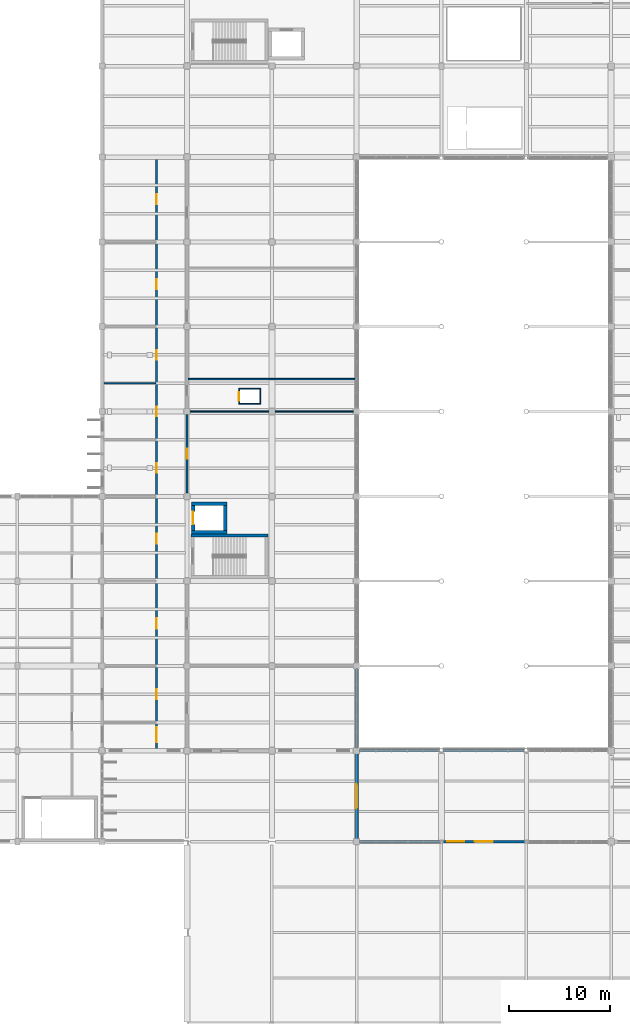
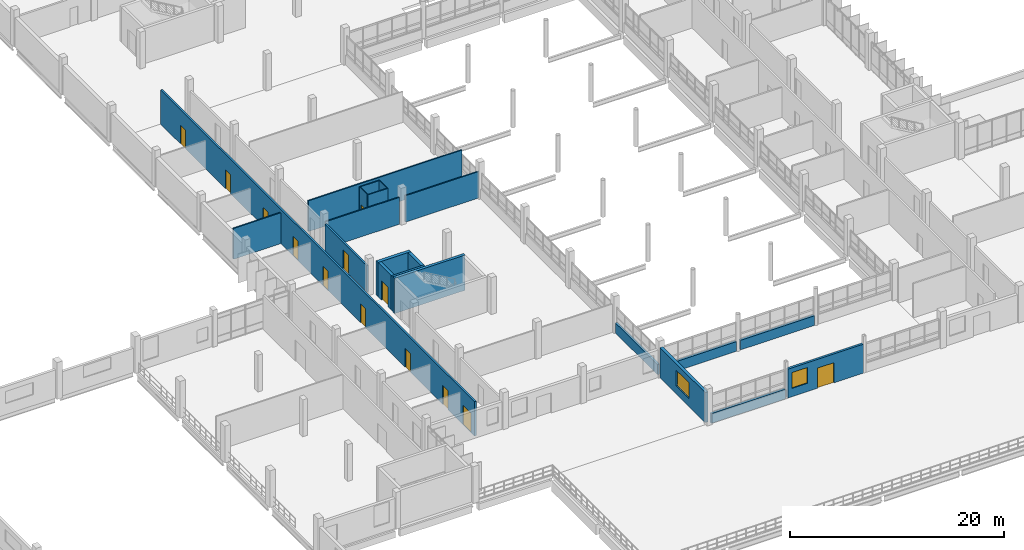
# One storey, part 84 of 101: 21 walls, 13 doors, 2 windows, 15 openings.
"""IFC4 building model written with IfcOpenShell, lengths in metres."""

import ifcopenshell
import ifcopenshell.guid

model = None  # the IFC model being written
_history = None  # IfcOwnerHistory: only IFC2X3 demands one
_inside = {}  # id of a spatial element -> (the spatial element, [elements in it])
_under = {}  # id of a project, library or spatial element -> (it, [spatial elements below it])
_declared = {}  # id of a project -> (the project, [libraries it declares])
_typed = {}  # id of a type object -> (the type object, [elements of that type])
_made_of = {}  # id of a material, layer set ... -> (it, [elements and type objects made of it])


def new_model(schema):
    """Start an empty IFC model of exactly this schema.

    Asked for "IFC4X3", IfcOpenShell would pick the latest addendum, in which some entities
    have other attributes; the version numbers below select the first issue.
    IFC2X3 requires an IfcOwnerHistory on every rooted entity: one is made here for all.
    """
    global model, _history
    if schema == "IFC4X3":
        model = ifcopenshell.file(schema_version=(4, 3, 0, 0))
    else:
        model = ifcopenshell.file(schema=schema)
    _inside.clear()
    _under.clear()
    _declared.clear()
    _typed.clear()
    _made_of.clear()
    _history = None
    if model.schema == "IFC2X3":
        org = make("IfcOrganization", Name="unknown")
        user = make(
            "IfcPersonAndOrganization",
            ThePerson=make("IfcPerson", FamilyName="unknown"),
            TheOrganization=org,
        )
        app = make(
            "IfcApplication",
            ApplicationDeveloper=org,
            Version="unknown",
            ApplicationFullName="unknown",
            ApplicationIdentifier="unknown",
        )
        _history = make(
            "IfcOwnerHistory",
            OwningUser=user,
            OwningApplication=app,
            ChangeAction="ADDED",
            CreationDate=0,
        )
    return model


def make(cls, **values):
    """One entity of the class cls with the attributes given. An attribute that is None is left unset."""
    return model.create_entity(
        cls, **{name: value for name, value in values.items() if value is not None}
    )


def rooted(cls, **values):
    """An entity with a GlobalId (a new one), such as an element, a storey or a relation."""
    return make(cls, GlobalId=ifcopenshell.guid.new(), OwnerHistory=_history, **values)


def si_unit(unit_type, name, prefix=None):
    """IfcSIUnit, for example si_unit("LENGTHUNIT", "METRE", prefix="MILLI")."""
    return make("IfcSIUnit", UnitType=unit_type, Prefix=prefix, Name=name)


def assignment(units):
    """IfcUnitAssignment: the units of a project."""
    return None if units is None else make("IfcUnitAssignment", Units=units)


def point(xyz):
    """IfcCartesianPoint."""
    return None if xyz is None else make("IfcCartesianPoint", Coordinates=xyz)


def direction(xyz):
    """IfcDirection."""
    return None if xyz is None else make("IfcDirection", DirectionRatios=xyz)


def frame(location, z_axis=None, x_axis=None):
    """IfcAxis2Placement3D, a coordinate frame: its origin and axes. An axis left out is left unset."""
    return make(
        "IfcAxis2Placement3D",
        Location=point(location),
        Axis=direction(z_axis),
        RefDirection=direction(x_axis),
    )


def frame_2d(location, x_axis=None):
    """IfcAxis2Placement2D, a coordinate frame in the plane: its origin and x axis."""
    return make(
        "IfcAxis2Placement2D", Location=point(location), RefDirection=direction(x_axis)
    )


def origin():
    """The frame at (0, 0, 0) with its axes left unset."""
    return frame((0.0, 0.0, 0.0))


def place(relative_to, where):
    """IfcLocalPlacement: puts the frame where relative to a parent placement (None: the world)."""
    return make(
        "IfcLocalPlacement", PlacementRelTo=relative_to, RelativePlacement=where
    )


def context(
    kind, dimensions, precision=None, world=None, true_north=None, identifier=None
):
    """IfcGeometricRepresentationContext, for example the 3D "Model" context."""
    return make(
        "IfcGeometricRepresentationContext",
        ContextIdentifier=identifier,
        ContextType=kind,
        CoordinateSpaceDimension=dimensions,
        Precision=precision,
        WorldCoordinateSystem=world,
        TrueNorth=true_north,
    )


def subcontext(parent, identifier, kind, view, scale=None):
    """IfcGeometricRepresentationSubContext, for example "Body" below "Model"."""
    return make(
        "IfcGeometricRepresentationSubContext",
        ContextIdentifier=identifier,
        ContextType=kind,
        ParentContext=parent,
        TargetScale=scale,
        TargetView=view,
    )


def project(units=None, contexts=None):
    """IfcProject with its units and contexts."""
    return rooted(
        "IfcProject",
        Name="project",
        RepresentationContexts=contexts,
        UnitsInContext=assignment(units),
    )


def spatial(cls, under=None, at=None, **own):
    """A site, building, storey or space (cls), placed at a placement, below another one or the project."""
    s = rooted(cls, ObjectPlacement=at, **own)
    if under is not None:
        _under.setdefault(under.id(), (under, []))[1].append(s)
    return s


def profile(cls, at=None, kind="AREA", **sizes):
    """A parametric profile (cls). Its sizes go by their IFC names, for example OverallWidth=200.0."""
    return make(cls, ProfileType=kind, Position=at, **sizes)


def rectangle(**sizes):
    """IfcRectangleProfileDef."""
    return profile("IfcRectangleProfileDef", **sizes)


def extrude(swept, where, along, depth):
    """IfcExtrudedAreaSolid: the profile swept, set in the frame where, extruded along a direction by depth."""
    return make(
        "IfcExtrudedAreaSolid",
        SweptArea=swept,
        Position=where,
        ExtrudedDirection=direction(along),
        Depth=depth,
    )


def shape(context_of_items, identifier, shape_type, items):
    """IfcShapeRepresentation: the items that make up one representation, for example the "Body"."""
    return make(
        "IfcShapeRepresentation",
        ContextOfItems=context_of_items,
        RepresentationIdentifier=identifier,
        RepresentationType=shape_type,
        Items=items,
    )


def material(Name=None, Category=None):
    """IfcMaterial."""
    return make("IfcMaterial", Name=Name, Category=Category)


def layer(
    of_material, thickness, ventilated=None, Name=None, Category=None, Priority=None
):
    """IfcMaterialLayer: one layer of a wall or slab, of a material (None: an air gap)."""
    return make(
        "IfcMaterialLayer",
        Material=of_material,
        LayerThickness=thickness,
        IsVentilated=ventilated,
        Name=Name,
        Category=Category,
        Priority=Priority,
    )


def layer_set(layers, Name=None):
    """IfcMaterialLayerSet."""
    return make("IfcMaterialLayerSet", MaterialLayers=layers, LayerSetName=Name)


def made_of(thing, what):
    """Note that an element or type object is made of a material, layer set ...; save() writes the relation."""
    if what is not None:
        _made_of.setdefault(what.id(), (what, []))[1].append(thing)
    return thing


def type_object(cls, material=None, **own):
    """A type object (cls), such as IfcWallType, which elements share."""
    return made_of(rooted(cls, **own), material)


def element(
    cls,
    number,
    at=None,
    inside=None,
    cuts=None,
    type_object=None,
    material=None,
    context=None,
    identifier="Body",
    shape_type=None,
    held_by="IfcProductDefinitionShape",
    body=None,
    shapes=None,
    **own,
):
    """One element of the class cls, such as IfcWall. Its Tag is "e" and its number.

    at: its placement. inside: the storey or other place that contains it. cuts: it is an
    opening in that element (IfcRelVoidsElement). A single representation is given by context,
    identifier, shape_type and body (its items); several are given by shapes. held_by: the class
    of the entity that holds the representations. save() writes the other relations.
    """
    e = rooted(cls, Tag="e%d" % number, ObjectPlacement=at, **own)
    if body is not None:
        shapes = [shape(context, identifier, shape_type, body)]
    if shapes is not None:
        e.Representation = make(held_by, Representations=shapes)
    if inside is not None:
        _inside.setdefault(inside.id(), (inside, []))[1].append(e)
    if cuts is not None:
        rooted(
            "IfcRelVoidsElement", RelatingBuildingElement=cuts, RelatedOpeningElement=e
        )
    if type_object is not None:
        _typed.setdefault(type_object.id(), (type_object, []))[1].append(e)
    return made_of(e, material)


def fill(opening, filler):
    """IfcRelFillsElement: the door or window that sits in an opening."""
    return rooted(
        "IfcRelFillsElement",
        RelatingOpeningElement=opening,
        RelatedBuildingElement=filler,
    )


def aggregate(whole, parts):
    """IfcRelAggregates: a whole, such as a stair, and the parts it consists of."""
    return rooted("IfcRelAggregates", RelatingObject=whole, RelatedObjects=parts)


def save(model, path):
    """Write the relations noted so far, then the file.

    IfcRelAggregates (storeys below a building ...), IfcRelContainedInSpatialStructure (elements
    in a storey), IfcRelDefinesByType, IfcRelAssociatesMaterial and IfcRelDeclares: one each for
    every whole, place, type object, material and project.
    """
    for whole, parts in _under.values():
        aggregate(whole, parts)
    for where, things in _inside.values():
        rooted(
            "IfcRelContainedInSpatialStructure",
            RelatedElements=things,
            RelatingStructure=where,
        )
    for kind, things in _typed.values():
        rooted("IfcRelDefinesByType", RelatedObjects=things, RelatingType=kind)
    for what, things in _made_of.values():
        rooted("IfcRelAssociatesMaterial", RelatedObjects=things, RelatingMaterial=what)
    for by, libraries in _declared.values():
        rooted("IfcRelDeclares", RelatingContext=by, RelatedDefinitions=libraries)
    model.write(path)


model = new_model("IFC4")

# Units and contexts
model_context = context("Model", 3, precision=1e-05, world=origin(), true_north=direction((0.0, 1.0)))
body_context = subcontext(model_context, "Body", "Model", "MODEL_VIEW")
ifc_project = project(units=[si_unit("LENGTHUNIT", "METRE"), si_unit("AREAUNIT", "SQUARE_METRE"), si_unit("VOLUMEUNIT", "CUBIC_METRE"), si_unit("PLANEANGLEUNIT", "RADIAN"), si_unit("MASSUNIT", "GRAM", prefix="KILO")], contexts=[model_context])

# Site, building, storey
site_placement = place(None, origin())
site = spatial("IfcSite", under=ifc_project, at=site_placement, CompositionType="ELEMENT")
building_placement = place(site_placement, origin())
building = spatial("IfcBuilding", under=site, at=building_placement, Name="Vireocrest Preparatory School", CompositionType="ELEMENT")
storey_placement = place(building_placement, frame((0.0, 0.0, 4.800048828125)))
storey = spatial("IfcBuildingStorey", under=building, at=storey_placement, Name="L01", CompositionType="ELEMENT", Elevation=4.800048828125)

# Walls
ifc_material_1 = material(Name="Gypsum board on cold-formed steel studs", Category="steel")
ifc_layer_1 = layer(ifc_material_1, 0.139892578125)
ifc_layer_set_1 = layer_set([ifc_layer_1], Name="Gypsum board on cold-formed steel studs")
wall_type_1 = type_object("IfcWallType", Name="Classroom Acoustic Partition Wall 140", PredefinedType="PARTITIONING", material=ifc_layer_set_1)
wall_1_placement = place(storey_placement, frame((42.195068359375, 63.39990234375, 0.0), z_axis=(0.0, 0.0, 1.0), x_axis=(1.0, 0.0, 0.0)))
element("IfcWall", 1, at=wall_1_placement, inside=storey, type_object=wall_type_1, Name="Interior Partition W03 IW_L01_0128", PredefinedType="PARTITIONING", context=body_context, shape_type="SweptSolid", body=[
    extrude(rectangle(XDim=5.099853515625, YDim=0.139892578125, at=frame_2d((2.5498046875, 0.0))), origin(), (0.0, 0.0, 1.0), 3.510009765625),
])
wall_2_placement = place(storey_placement, frame((50.5048828125, 60.60009765625, 0.0), z_axis=(0.0, 0.0, 1.0), x_axis=(1.0, 0.0, 0.0)))
element("IfcWall", 2, at=wall_2_placement, inside=storey, type_object=wall_type_1, Name="Interior Partition W03 IW_L01_0139", PredefinedType="PARTITIONING", context=body_context, shape_type="SweptSolid", body=[
    extrude(rectangle(XDim=7.985107421875, YDim=0.139892578125, at=frame_2d((3.99267578125, 0.0))), origin(), (0.0, 0.0, 1.0), 3.06005859375),
])
wall_3_placement = place(storey_placement, frame((59.110107421875, 60.60009765625, 0.0), z_axis=(0.0, 0.0, 1.0), x_axis=(1.0, 0.0, 0.0)))
element("IfcWall", 3, at=wall_3_placement, inside=storey, type_object=wall_type_1, Name="Interior Partition W03 IW_L01_0140", PredefinedType="PARTITIONING", context=body_context, shape_type="SweptSolid", body=[
    extrude(rectangle(XDim=7.96484375, YDim=0.139892578125, at=frame_2d((3.982421875, 0.0))), origin(), (0.0, 0.0, 1.0), 3.010009765625),
])
wall_4_placement = place(storey_placement, frame((50.5048828125, 63.800048828125, 0.0), z_axis=(0.0, 0.0, 1.0), x_axis=(1.0, 0.0, 0.0)))
element("IfcWall", 4, at=wall_4_placement, inside=storey, type_object=wall_type_1, Name="Interior Partition W03 IW_L01_0141", PredefinedType="PARTITIONING", context=body_context, shape_type="SweptSolid", body=[
    extrude(rectangle(XDim=16.570068359375, YDim=0.139892578125, at=frame_2d((8.28515625, 0.0))), origin(), (0.0, 0.0, 1.0), 3.510009765625),
])

# Wall, openings, doors
ifc_layer_2 = layer(ifc_material_1, 0.199951171875)
ifc_layer_set_2 = layer_set([ifc_layer_2], Name="Gypsum board on cold-formed steel studs")
wall_type_2 = type_object("IfcWallType", Name="Corridor One-Hour Fire Partition 200", PredefinedType="PARTITIONING", material=ifc_layer_set_2)
wall_5_placement = place(storey_placement, frame((47.39990234375, 27.1650390625, 0.0), z_axis=(0.0, 0.0, 1.0), x_axis=(0.0, 1.0, 0.0)))
wall_5 = element("IfcWall", 5, at=wall_5_placement, inside=storey, type_object=wall_type_2, Name="Interior Partition W06 IW_L01_0131", PredefinedType="PARTITIONING", context=body_context, shape_type="SweptSolid", body=[
    extrude(rectangle(XDim=58.625, YDim=0.199951171875, at=frame_2d((29.3125, 0.0))), origin(), (0.0, 0.0, 1.0), 3.89990234375),
])
opening_1_placement = place(wall_5_placement, frame((0.68505859375, 0.0, 0.0)))
opening_1 = element("IfcOpeningElement", 6, at=opening_1_placement, cuts=wall_5, Name="Opening D-L01-W1W01", PredefinedType="OPENING", context=body_context, shape_type="SweptSolid", body=[
    extrude(rectangle(XDim=1.5, YDim=2.199951171875, at=frame_2d((0.75, 1.10009765625))), frame((0.0, 0.10986328125, 0.0), z_axis=(0.0, -1.0, 0.0), x_axis=(1.0, 0.0, 0.0)), (0.0, 0.0, 1.0), 0.219970703125),
])
opening_2_placement = place(wall_5_placement, frame((4.93505859375, 0.0, 0.0)))
opening_2 = element("IfcOpeningElement", 7, at=opening_2_placement, cuts=wall_5, Name="Opening D-L01-W1W02", PredefinedType="OPENING", context=body_context, shape_type="SweptSolid", body=[
    extrude(rectangle(XDim=1.0, YDim=2.14990234375, at=frame_2d((0.5, 1.074951171875))), frame((0.0, 0.10986328125, 0.0), z_axis=(0.0, -1.0, 0.0), x_axis=(1.0, 0.0, 0.0)), (0.0, 0.0, 1.0), 0.219970703125),
])
opening_3_placement = place(wall_5_placement, frame((11.93505859375, 0.0, 0.0)))
opening_3 = element("IfcOpeningElement", 8, at=opening_3_placement, cuts=wall_5, Name="Opening D-L01-W1W03", PredefinedType="OPENING", context=body_context, shape_type="SweptSolid", body=[
    extrude(rectangle(XDim=1.0, YDim=2.14990234375, at=frame_2d((0.5, 1.074951171875))), frame((0.0, 0.10986328125, 0.0), z_axis=(0.0, -1.0, 0.0), x_axis=(1.0, 0.0, 0.0)), (0.0, 0.0, 1.0), 0.219970703125),
])
opening_4_placement = place(wall_5_placement, frame((20.3349609375, 0.0, 0.0)))
opening_4 = element("IfcOpeningElement", 9, at=opening_4_placement, cuts=wall_5, Name="Opening D-L01-W1W04", PredefinedType="OPENING", context=body_context, shape_type="SweptSolid", body=[
    extrude(rectangle(XDim=1.0, YDim=2.14990234375, at=frame_2d((0.5, 1.074951171875))), frame((0.0, 0.10986328125, 0.0), z_axis=(0.0, -1.0, 0.0), x_axis=(1.0, 0.0, 0.0)), (0.0, 0.0, 1.0), 0.219970703125),
])
opening_5_placement = place(wall_5_placement, frame((27.360107421875, 0.0, 0.0)))
opening_5 = element("IfcOpeningElement", 10, at=opening_5_placement, cuts=wall_5, Name="Opening D-L01-W1W05", PredefinedType="OPENING", context=body_context, shape_type="SweptSolid", body=[
    extrude(rectangle(XDim=0.949951171875, YDim=2.199951171875, at=frame_2d((0.47509765625, 1.10009765625))), frame((0.0, 0.10986328125, 0.0), z_axis=(0.0, -1.0, 0.0), x_axis=(1.0, 0.0, 0.0)), (0.0, 0.0, 1.0), 0.219970703125),
])
opening_6_placement = place(wall_5_placement, frame((32.9599609375, 0.0, 0.0)))
opening_6 = element("IfcOpeningElement", 11, at=opening_6_placement, cuts=wall_5, Name="Opening D-L01-W1W06", PredefinedType="OPENING", context=body_context, shape_type="SweptSolid", body=[
    extrude(rectangle(XDim=0.949951171875, YDim=2.199951171875, at=frame_2d((0.47509765625, 1.10009765625))), frame((0.0, 0.10986328125, 0.0), z_axis=(0.0, -1.0, 0.0), x_axis=(1.0, 0.0, 0.0)), (0.0, 0.0, 1.0), 0.219970703125),
])
opening_7_placement = place(wall_5_placement, frame((38.56005859375, 0.0, 0.0)))
opening_7 = element("IfcOpeningElement", 12, at=opening_7_placement, cuts=wall_5, Name="Opening D-L01-W1W07", PredefinedType="OPENING", context=body_context, shape_type="SweptSolid", body=[
    extrude(rectangle(XDim=0.949951171875, YDim=2.10009765625, at=frame_2d((0.47509765625, 1.050048828125))), frame((0.0, 0.10986328125, 0.0), z_axis=(0.0, -1.0, 0.0), x_axis=(1.0, 0.0, 0.0)), (0.0, 0.0, 1.0), 0.219970703125),
])
opening_8_placement = place(wall_5_placement, frame((45.534912109375, 0.0, 0.0)))
opening_8 = element("IfcOpeningElement", 13, at=opening_8_placement, cuts=wall_5, Name="Opening D-L01-W1W08", PredefinedType="OPENING", context=body_context, shape_type="SweptSolid", body=[
    extrude(rectangle(XDim=1.0, YDim=2.14990234375, at=frame_2d((0.5, 1.074951171875))), frame((0.0, 0.10986328125, 0.0), z_axis=(0.0, -1.0, 0.0), x_axis=(1.0, 0.0, 0.0)), (0.0, 0.0, 1.0), 0.219970703125),
])
opening_9_placement = place(wall_5_placement, frame((53.93505859375, 0.0, 0.0)))
opening_9 = element("IfcOpeningElement", 14, at=opening_9_placement, cuts=wall_5, Name="Opening D-L01-W1W09", PredefinedType="OPENING", context=body_context, shape_type="SweptSolid", body=[
    extrude(rectangle(XDim=1.0, YDim=2.14990234375, at=frame_2d((0.5, 1.074951171875))), frame((0.0, 0.10986328125, 0.0), z_axis=(0.0, -1.0, 0.0), x_axis=(1.0, 0.0, 0.0)), (0.0, 0.0, 1.0), 0.219970703125),
])
ifc_material_2 = material(Name="Solid-core architectural birch timber", Category="wood")
door_type_1 = type_object("IfcDoorType", Name="Accessible WC Timber Door 950x2100", OperationType="NOTDEFINED", PredefinedType="DOOR", material=ifc_material_2)
door_1_placement = place(opening_7_placement, origin())
door_1 = element("IfcDoor", 15, at=door_1_placement, inside=storey, type_object=door_type_1, Name="Interior Door D-L01-W1W07", OperationType="SINGLE_SWING_LEFT", OverallHeight=2.10009765625, OverallWidth=0.949951171875, PredefinedType="DOOR", context=body_context, shape_type="SweptSolid", body=[
    extrude(rectangle(XDim=0.949951171875, YDim=2.10009765625, at=frame_2d((0.47509765625, 1.050048828125))), frame((0.0, 0.02490234375, 0.0), z_axis=(0.0, -1.0, 0.0), x_axis=(1.0, 0.0, 0.0)), (0.0, 0.0, 1.0), 0.050048828125),
])
fill(opening_7, door_1)
door_type_2 = type_object("IfcDoorType", Name="Classroom Acoustic Timber Door 1000x2150", OperationType="NOTDEFINED", PredefinedType="DOOR", material=ifc_material_2)
door_2_placement = place(opening_2_placement, origin())
door_2 = element("IfcDoor", 16, at=door_2_placement, inside=storey, type_object=door_type_2, Name="Interior Door D-L01-W1W02", OperationType="SINGLE_SWING_RIGHT", OverallHeight=2.14990234375, OverallWidth=1.0, PredefinedType="DOOR", context=body_context, shape_type="SweptSolid", body=[
    extrude(rectangle(XDim=1.0, YDim=2.14990234375, at=frame_2d((0.5, 1.074951171875))), frame((0.0, 0.02490234375, 0.0), z_axis=(0.0, -1.0, 0.0), x_axis=(1.0, 0.0, 0.0)), (0.0, 0.0, 1.0), 0.050048828125),
])
fill(opening_2, door_2)
door_3_placement = place(opening_3_placement, origin())
door_3 = element("IfcDoor", 17, at=door_3_placement, inside=storey, type_object=door_type_2, Name="Interior Door D-L01-W1W03", OperationType="SINGLE_SWING_LEFT", OverallHeight=2.14990234375, OverallWidth=1.0, PredefinedType="DOOR", context=body_context, shape_type="SweptSolid", body=[
    extrude(rectangle(XDim=1.0, YDim=2.14990234375, at=frame_2d((0.5, 1.074951171875))), frame((0.0, 0.02490234375, 0.0), z_axis=(0.0, -1.0, 0.0), x_axis=(1.0, 0.0, 0.0)), (0.0, 0.0, 1.0), 0.050048828125),
])
fill(opening_3, door_3)
door_4_placement = place(opening_4_placement, origin())
door_4 = element("IfcDoor", 18, at=door_4_placement, inside=storey, type_object=door_type_2, Name="Interior Door D-L01-W1W04", OperationType="SINGLE_SWING_RIGHT", OverallHeight=2.14990234375, OverallWidth=1.0, PredefinedType="DOOR", context=body_context, shape_type="SweptSolid", body=[
    extrude(rectangle(XDim=1.0, YDim=2.14990234375, at=frame_2d((0.5, 1.074951171875))), frame((0.0, 0.02490234375, 0.0), z_axis=(0.0, -1.0, 0.0), x_axis=(1.0, 0.0, 0.0)), (0.0, 0.0, 1.0), 0.050048828125),
])
fill(opening_4, door_4)
door_5_placement = place(opening_8_placement, origin())
door_5 = element("IfcDoor", 19, at=door_5_placement, inside=storey, type_object=door_type_2, Name="Interior Door D-L01-W1W08", OperationType="SINGLE_SWING_RIGHT", OverallHeight=2.14990234375, OverallWidth=1.0, PredefinedType="DOOR", context=body_context, shape_type="SweptSolid", body=[
    extrude(rectangle(XDim=1.0, YDim=2.14990234375, at=frame_2d((0.5, 1.074951171875))), frame((0.0, 0.02490234375, 0.0), z_axis=(0.0, -1.0, 0.0), x_axis=(1.0, 0.0, 0.0)), (0.0, 0.0, 1.0), 0.050048828125),
])
fill(opening_8, door_5)
door_6_placement = place(opening_9_placement, origin())
door_6 = element("IfcDoor", 20, at=door_6_placement, inside=storey, type_object=door_type_2, Name="Interior Door D-L01-W1W09", OperationType="SINGLE_SWING_LEFT", OverallHeight=2.14990234375, OverallWidth=1.0, PredefinedType="DOOR", context=body_context, shape_type="SweptSolid", body=[
    extrude(rectangle(XDim=1.0, YDim=2.14990234375, at=frame_2d((0.5, 1.074951171875))), frame((0.0, 0.02490234375, 0.0), z_axis=(0.0, -1.0, 0.0), x_axis=(1.0, 0.0, 0.0)), (0.0, 0.0, 1.0), 0.050048828125),
])
fill(opening_9, door_6)
ifc_material_3 = material(Name="Painted galvanized hollow steel", Category="steel")
door_type_3 = type_object("IfcDoorType", Name="Stair Enclosure Fire Door 1500x2200", OperationType="DOUBLE_DOOR_SINGLE_SWING", PredefinedType="DOOR", material=ifc_material_3)
door_7_placement = place(opening_1_placement, origin())
door_7 = element("IfcDoor", 21, at=door_7_placement, inside=storey, type_object=door_type_3, Name="Interior Door D-L01-W1W01", OperationType="DOUBLE_DOOR_SINGLE_SWING", OverallHeight=2.199951171875, OverallWidth=1.5, PredefinedType="DOOR", context=body_context, shape_type="SweptSolid", body=[
    extrude(rectangle(XDim=1.5, YDim=2.199951171875, at=frame_2d((0.75, 1.10009765625))), frame((0.0, 0.02490234375, 0.0), z_axis=(0.0, -1.0, 0.0), x_axis=(1.0, 0.0, 0.0)), (0.0, 0.0, 1.0), 0.050048828125),
])
fill(opening_1, door_7)
door_type_4 = type_object("IfcDoorType", Name="Student Washroom Door 950x2200", OperationType="NOTDEFINED", PredefinedType="DOOR", material=ifc_material_2)
door_8_placement = place(opening_5_placement, origin())
door_8 = element("IfcDoor", 22, at=door_8_placement, inside=storey, type_object=door_type_4, Name="Interior Door D-L01-W1W05", OperationType="SINGLE_SWING_LEFT", OverallHeight=2.199951171875, OverallWidth=0.949951171875, PredefinedType="DOOR", context=body_context, shape_type="SweptSolid", body=[
    extrude(rectangle(XDim=0.949951171875, YDim=2.199951171875, at=frame_2d((0.47509765625, 1.10009765625))), frame((0.0, 0.02490234375, 0.0), z_axis=(0.0, -1.0, 0.0), x_axis=(1.0, 0.0, 0.0)), (0.0, 0.0, 1.0), 0.050048828125),
])
fill(opening_5, door_8)
door_9_placement = place(opening_6_placement, origin())
door_9 = element("IfcDoor", 23, at=door_9_placement, inside=storey, type_object=door_type_4, Name="Interior Door D-L01-W1W06", OperationType="SINGLE_SWING_RIGHT", OverallHeight=2.199951171875, OverallWidth=0.949951171875, PredefinedType="DOOR", context=body_context, shape_type="SweptSolid", body=[
    extrude(rectangle(XDim=0.949951171875, YDim=2.199951171875, at=frame_2d((0.47509765625, 1.10009765625))), frame((0.0, 0.02490234375, 0.0), z_axis=(0.0, -1.0, 0.0), x_axis=(1.0, 0.0, 0.0)), (0.0, 0.0, 1.0), 0.050048828125),
])
fill(opening_6, door_9)

# Wall, opening, door
wall_6_placement = place(storey_placement, frame((50.39990234375, 52.510009765625, 0.0), z_axis=(0.0, 0.0, 1.0), x_axis=(0.0, 1.0, 0.0)))
wall_6 = element("IfcWall", 24, at=wall_6_placement, inside=storey, type_object=wall_type_2, Name="Interior Partition W06 IW_L01_0143", PredefinedType="PARTITIONING", context=body_context, shape_type="SweptSolid", body=[
    extrude(rectangle(XDim=7.780029296875, YDim=0.199951171875, at=frame_2d((3.89013671875, 0.0))), origin(), (0.0, 0.0, 1.0), 3.010009765625),
])
opening_10_placement = place(wall_6_placement, frame((3.389892578125, 0.0, 0.0)))
opening_10 = element("IfcOpeningElement", 25, at=opening_10_placement, cuts=wall_6, Name="Opening D-L01-W1EN01", PredefinedType="OPENING", context=body_context, shape_type="SweptSolid", body=[
    extrude(rectangle(XDim=1.0, YDim=2.14990234375, at=frame_2d((0.5, 1.074951171875))), frame((0.0, 0.10986328125, 0.0), z_axis=(0.0, -1.0, 0.0), x_axis=(1.0, 0.0, 0.0)), (0.0, 0.0, 1.0), 0.219970703125),
])
door_10_placement = place(opening_10_placement, origin())
door_10 = element("IfcDoor", 26, at=door_10_placement, inside=storey, type_object=door_type_2, Name="Interior Door D-L01-W1EN01", OperationType="SINGLE_SWING_LEFT", OverallHeight=2.14990234375, OverallWidth=1.0, PredefinedType="DOOR", context=body_context, shape_type="SweptSolid", body=[
    extrude(rectangle(XDim=1.0, YDim=2.14990234375, at=frame_2d((0.5, 1.074951171875))), frame((0.0, 0.02490234375, 0.0), z_axis=(0.0, -1.0, 0.0), x_axis=(1.0, 0.0, 0.0)), (0.0, 0.0, 1.0), 0.050048828125),
])
fill(opening_10, door_10)

# Wall, opening, window
ifc_material_4 = material(Name="Precast white concrete 40 MPa", Category="concrete")
ifc_layer_3 = layer(ifc_material_4, 0.320068359375)
ifc_layer_set_3 = layer_set([ifc_layer_3], Name="Precast white concrete 40 MPa")
wall_type_3 = type_object("IfcWallType", Name="High-Tech Insulated Rainscreen External Wall 320", PredefinedType="SOLIDWALL", material=ifc_layer_set_3)
wall_7_placement = place(storey_placement, frame((67.199951171875, 18.27490234375, 0.0), z_axis=(0.0, 0.0, 1.0), x_axis=(0.0, 1.0, 0.0)))
wall_7 = element("IfcWall", 27, at=wall_7_placement, inside=storey, type_object=wall_type_3, Name="External Wall W12 EW_L01_0200", PredefinedType="SOLIDWALL", context=body_context, shape_type="SweptSolid", body=[
    extrude(rectangle(XDim=8.4501953125, YDim=0.320068359375, at=frame_2d((4.22509765625, 0.0))), origin(), (0.0, 0.0, 1.0), 3.429931640625),
])
opening_11_placement = place(wall_7_placement, frame((3.02490234375, 0.0, 0.89990234375)))
opening_11 = element("IfcOpeningElement", 28, at=opening_11_placement, cuts=wall_7, Name="Opening WN12", PredefinedType="OPENING", context=body_context, shape_type="SweptSolid", body=[
    extrude(rectangle(XDim=2.39990234375, YDim=1.800048828125, at=frame_2d((1.199951171875, 0.89990234375))), frame((0.0, 0.169921875, 0.0), z_axis=(0.0, -1.0, 0.0), x_axis=(1.0, 0.0, 0.0)), (0.0, 0.0, 1.0), 0.340087890625),
])
ifc_material_5 = material(Name="Thermally broken aluminium EN AW-6063-T6", Category="aluminium")
window_type_1 = type_object("IfcWindowType", Name="Classroom Paired Window 2400x1800", PartitioningType="DOUBLE_PANEL_VERTICAL", PredefinedType="WINDOW", material=ifc_material_5)
window_1_placement = place(opening_11_placement, origin())
window_1 = element("IfcWindow", 29, at=window_1_placement, inside=storey, type_object=window_type_1, Name="Window W-L01-095 (WN12)", OverallHeight=1.800048828125, OverallWidth=2.39990234375, PartitioningType="SINGLE_PANEL", PredefinedType="WINDOW", context=body_context, shape_type="SweptSolid", body=[
    extrude(rectangle(XDim=2.39990234375, YDim=1.800048828125, at=frame_2d((1.199951171875, 0.89990234375))), frame((0.0, 0.030029296875, 0.0), z_axis=(0.0, -1.0, 0.0), x_axis=(1.0, 0.0, 0.0)), (0.0, 0.0, 1.0), 0.06005859375),
])
fill(opening_11, window_1)

# Walls
ifc_layer_4 = layer(ifc_material_1, 0.10009765625)
ifc_layer_set_4 = layer_set([ifc_layer_4], Name="Gypsum board on cold-formed steel studs")
wall_type_4 = type_object("IfcWallType", Name="Riser Shaft Lining Wall 100", PredefinedType="PARTITIONING", material=ifc_layer_set_4)
for number, where, z_axis, x_axis, name in (
    (30, (55.5, 61.35009765625, 0.0), (0.0, 0.0, 1.0), (1.0, 0.0, 0.0), "MEP Riser Shaft Wall W01 WEST_MEP-L01-S"),
    (31, (55.5, 62.85009765625, 0.0), (0.0, 0.0, 1.0), (1.0, 0.0, 0.0), "MEP Riser Shaft Wall W01 WEST_MEP-L01-N"),
):
    element("IfcWall", number, at=place(storey_placement, frame(where, z_axis=z_axis, x_axis=x_axis)), inside=storey, type_object=wall_type_4, Name=name, PredefinedType="PARTITIONING", context=body_context, shape_type="SweptSolid", body=[
        extrude(rectangle(XDim=2.199951171875, YDim=0.10009765625, at=frame_2d((1.10009765625, 0.0))), origin(), (0.0, 0.0, 1.0), 3.89990234375),
    ])

# Wall, opening, door
wall_8_placement = place(storey_placement, frame((55.550048828125, 61.39990234375, 0.0), z_axis=(0.0, 0.0, 1.0), x_axis=(0.0, 1.0, 0.0)))
wall_8 = element("IfcWall", 32, at=wall_8_placement, inside=storey, type_object=wall_type_4, Name="MEP Riser Shaft Wall W01 WEST_MEP-L01-W", PredefinedType="PARTITIONING", context=body_context, shape_type="SweptSolid", body=[
    extrude(rectangle(XDim=1.400146484375, YDim=0.10009765625, at=frame_2d((0.7001953125, 0.0))), origin(), (0.0, 0.0, 1.0), 3.89990234375),
])
opening_12_placement = place(wall_8_placement, frame((0.27490234375, 0.0, 0.0)))
opening_12 = element("IfcOpeningElement", 33, at=opening_12_placement, cuts=wall_8, Name="Opening D-L01-RSW", PredefinedType="OPENING", context=body_context, shape_type="SweptSolid", body=[
    extrude(rectangle(XDim=0.85009765625, YDim=2.050048828125, at=frame_2d((0.425048828125, 1.02490234375))), frame((0.0, 0.06005859375, 0.0), z_axis=(0.0, -1.0, 0.0), x_axis=(1.0, 0.0, 0.0)), (0.0, 0.0, 1.0), 0.1201171875),
])
door_type_5 = type_object("IfcDoorType", Name="Riser Access Steel Door 850x2050", OperationType="NOTDEFINED", PredefinedType="DOOR", material=ifc_material_3)
door_11_placement = place(opening_12_placement, origin())
door_11 = element("IfcDoor", 34, at=door_11_placement, inside=storey, type_object=door_type_5, Name="Riser Shaft Access Door D-L01-RSW", OperationType="SINGLE_SWING_RIGHT", OverallHeight=2.050048828125, OverallWidth=0.85009765625, PredefinedType="DOOR", context=body_context, shape_type="SweptSolid", body=[
    extrude(rectangle(XDim=0.85009765625, YDim=2.050048828125, at=frame_2d((0.425048828125, 1.02490234375))), frame((0.0, 0.02490234375, 0.0), z_axis=(0.0, -1.0, 0.0), x_axis=(1.0, 0.0, 0.0)), (0.0, 0.0, 1.0), 0.050048828125),
])
fill(opening_12, door_11)

# Walls
wall_9_placement = place(storey_placement, frame((57.64990234375, 61.39990234375, 0.0), z_axis=(0.0, 0.0, 1.0), x_axis=(0.0, 1.0, 0.0)))
element("IfcWall", 35, at=wall_9_placement, inside=storey, type_object=wall_type_4, Name="MEP Riser Shaft Wall W01 WEST_MEP-L01-E", PredefinedType="PARTITIONING", context=body_context, shape_type="SweptSolid", body=[
    extrude(rectangle(XDim=1.400146484375, YDim=0.10009765625, at=frame_2d((0.7001953125, 0.0))), origin(), (0.0, 0.0, 1.0), 3.89990234375),
])
ifc_material_6 = material(Name="Concrete 45 MPa", Category="concrete")
ifc_layer_5 = layer(ifc_material_6, 0.35009765625)
ifc_layer_set_5 = layer_set([ifc_layer_5], Name="Concrete 45 MPa")
wall_type_5 = type_object("IfcWallType", Name="Two-Hour RC Lift Core Shear Wall 350", PredefinedType="SHEAR", material=ifc_layer_set_5)
for number, where, z_axis, x_axis, name in (
    (36, (50.824951171875, 48.64990234375, 0.0), (0.0, 0.0, 1.0), (1.0, 0.0, 0.0), "Lift Core Shear Wall LF1 L01-S"),
    (37, (50.824951171875, 51.449951171875, 0.0), (0.0, 0.0, 1.0), (1.0, 0.0, 0.0), "Lift Core Shear Wall LF1 L01-N"),
):
    element("IfcWall", number, at=place(storey_placement, frame(where, z_axis=z_axis, x_axis=x_axis)), inside=storey, type_object=wall_type_5, Name=name, PredefinedType="SHEAR", context=body_context, shape_type="SweptSolid", body=[
        extrude(rectangle(XDim=3.550048828125, YDim=0.35009765625, at=frame_2d((1.77490234375, 0.0))), origin(), (0.0, 0.0, 1.0), 3.919921875),
    ])

# Wall, opening, door
wall_10_placement = place(storey_placement, frame((51.0, 48.824951171875, 0.0), z_axis=(0.0, 0.0, 1.0), x_axis=(0.0, 1.0, 0.0)))
wall_10 = element("IfcWall", 38, at=wall_10_placement, inside=storey, type_object=wall_type_5, Name="Lift Core Shear Wall LF1 L01-W", PredefinedType="SHEAR", context=body_context, shape_type="SweptSolid", body=[
    extrude(rectangle(XDim=2.449951171875, YDim=0.35009765625, at=frame_2d((1.22509765625, 0.0))), origin(), (0.0, 0.0, 1.0), 3.919921875),
])
opening_13_placement = place(wall_10_placement, frame((0.60009765625, 0.0, 0.0)))
opening_13 = element("IfcOpeningElement", 39, at=opening_13_placement, cuts=wall_10, Name="Opening LD-LF1-L01", PredefinedType="OPENING", context=body_context, shape_type="SweptSolid", body=[
    extrude(rectangle(XDim=1.25, YDim=2.25, at=frame_2d((0.625, 1.125))), frame((0.0, 0.18505859375, 0.0), z_axis=(0.0, -1.0, 0.0), x_axis=(1.0, 0.0, 0.0)), (0.0, 0.0, 1.0), 0.3701171875),
])
door_type_6 = type_object("IfcDoorType", Name="Stretcher Lift Landing Sliding Door 1250x2250", OperationType="DOUBLE_DOOR_SLIDING", PredefinedType="DOOR", material=ifc_material_3)
door_12_placement = place(opening_13_placement, origin())
door_12 = element("IfcDoor", 40, at=door_12_placement, inside=storey, type_object=door_type_6, Name="Lift Landing Door LD-LF1-L01", OperationType="DOUBLE_DOOR_SLIDING", OverallHeight=2.25, OverallWidth=1.25, PredefinedType="DOOR", context=body_context, shape_type="SweptSolid", body=[
    extrude(rectangle(XDim=1.25, YDim=2.25, at=frame_2d((0.625, 1.125))), frame((0.0, 0.02490234375, 0.0), z_axis=(0.0, -1.0, 0.0), x_axis=(1.0, 0.0, 0.0)), (0.0, 0.0, 1.0), 0.050048828125),
])
fill(opening_13, door_12)

# Walls
wall_11_placement = place(storey_placement, frame((54.199951171875, 48.824951171875, 0.0), z_axis=(0.0, 0.0, 1.0), x_axis=(0.0, 1.0, 0.0)))
element("IfcWall", 41, at=wall_11_placement, inside=storey, type_object=wall_type_5, Name="Lift Core Shear Wall LF1 L01-E", PredefinedType="SHEAR", context=body_context, shape_type="SweptSolid", body=[
    extrude(rectangle(XDim=2.449951171875, YDim=0.35009765625, at=frame_2d((1.22509765625, 0.0))), origin(), (0.0, 0.0, 1.0), 3.919921875),
])
ifc_layer_6 = layer(ifc_material_6, 0.300048828125)
ifc_layer_set_6 = layer_set([ifc_layer_6], Name="Concrete 45 MPa")
wall_type_6 = type_object("IfcWallType", Name="Two-Hour RC Stair Shaft Shear Wall 300", PredefinedType="SHEAR", material=ifc_layer_set_6)
wall_12_placement = place(storey_placement, frame((50.800048828125, 48.300048828125, 0.0), z_axis=(0.0, 0.0, 1.0), x_axis=(1.0, 0.0, 0.0)))
element("IfcWall", 42, at=wall_12_placement, inside=storey, type_object=wall_type_6, Name="Stair Core Shear Wall ST1 L01-N", PredefinedType="SHEAR", context=body_context, shape_type="SweptSolid", body=[
    extrude(rectangle(XDim=7.599853515625, YDim=0.300048828125, at=frame_2d((3.7998046875, 0.0))), origin(), (0.0, 0.0, 1.0), 4.02490234375),
])
ifc_layer_7 = layer(ifc_material_4, 0.239990234375)
ifc_layer_set_7 = layer_set([ifc_layer_7], Name="Precast white concrete 40 MPa")
wall_type_7 = type_object("IfcWallType", Name="White Precast Courtyard Spandrel Wall 240", PredefinedType="SOLIDWALL", material=ifc_layer_set_7)
wall_13_placement = place(storey_placement, frame((67.47509765625, 18.0, 0.0), z_axis=(0.0, 0.0, 1.0), x_axis=(1.0, 0.0, 0.0)))
element("IfcWall", 43, at=wall_13_placement, inside=storey, type_object=wall_type_7, Name="External Wall W08 EW_L01_0201", PredefinedType="SOLIDWALL", context=body_context, shape_type="SweptSolid", body=[
    extrude(rectangle(XDim=7.99755859375, YDim=0.239990234375, at=frame_2d((3.998779296875, 0.0))), origin(), (0.0, 0.0, 1.0), 1.099853515625),
])

# Wall, openings, window, door
wall_14_placement = place(storey_placement, frame((75.727294921875, 18.0, 0.0), z_axis=(0.0, 0.0, 1.0), x_axis=(1.0, 0.0, 0.0)))
wall_14 = element("IfcWall", 44, at=wall_14_placement, inside=storey, type_object=wall_type_7, Name="External Wall W08 EW_L01_0202", PredefinedType="SOLIDWALL", context=body_context, shape_type="SweptSolid", body=[
    extrude(rectangle(XDim=8.145263671875, YDim=0.239990234375, at=frame_2d((4.07275390625, 0.0))), origin(), (0.0, 0.0, 1.0), 3.2958984375),
])
opening_14_placement = place(wall_14_placement, frame((4.97265625, 0.0, 0.0), z_axis=(0.0, 0.0, 1.0), x_axis=(-1.0, 0.0, 0.0)))
opening_14 = element("IfcOpeningElement", 45, at=opening_14_placement, cuts=wall_14, Name="Opening TD-101", PredefinedType="OPENING", context=body_context, shape_type="SweptSolid", body=[
    extrude(rectangle(XDim=1.800048828125, YDim=2.300048828125, at=frame_2d((0.89990234375, 1.14990234375))), frame((0.0, 0.1298828125, 0.0), z_axis=(0.0, -1.0, 0.0), x_axis=(1.0, 0.0, 0.0)), (0.0, 0.0, 1.0), 0.260009765625),
])
opening_15_placement = place(wall_14_placement, frame((0.449951171875, 0.0, 0.949951171875)))
opening_15 = element("IfcOpeningElement", 46, at=opening_15_placement, cuts=wall_14, Name="Opening WN05", PredefinedType="OPENING", context=body_context, shape_type="SweptSolid", body=[
    extrude(rectangle(XDim=1.679931640625, YDim=1.800048828125, at=frame_2d((0.83984375, 0.89990234375))), frame((0.0, 0.1298828125, 0.0), z_axis=(0.0, -1.0, 0.0), x_axis=(1.0, 0.0, 0.0)), (0.0, 0.0, 1.0), 0.260009765625),
])
window_type_2 = type_object("IfcWindowType", Name="Module Classroom Window 1680x1800", PartitioningType="SINGLE_PANEL", PredefinedType="WINDOW", material=ifc_material_5)
window_2_placement = place(opening_15_placement, origin())
window_2 = element("IfcWindow", 47, at=window_2_placement, inside=storey, type_object=window_type_2, Name="Window W-L01-096 (WN05)", OverallHeight=1.800048828125, OverallWidth=1.679931640625, PartitioningType="SINGLE_PANEL", PredefinedType="WINDOW", context=body_context, shape_type="SweptSolid", body=[
    extrude(rectangle(XDim=1.679931640625, YDim=1.800048828125, at=frame_2d((0.83984375, 0.89990234375))), frame((0.0, 0.030029296875, 0.0), z_axis=(0.0, -1.0, 0.0), x_axis=(1.0, 0.0, 0.0)), (0.0, 0.0, 1.0), 0.06005859375),
])
fill(opening_15, window_2)
ifc_material_7 = material(Name="Thermally broken glazed aluminium", Category="aluminium")
door_type_7 = type_object("IfcDoorType", Name="Play Deck Glazed Double Door 1800x2300", OperationType="DOUBLE_DOOR_SINGLE_SWING", PredefinedType="DOOR", material=ifc_material_7)
door_13_placement = place(opening_14_placement, origin())
door_13 = element("IfcDoor", 48, at=door_13_placement, inside=storey, type_object=door_type_7, Name="First-Floor Rooftop Play Deck Door TD-101", OperationType="DOUBLE_DOOR_SINGLE_SWING", OverallHeight=2.300048828125, OverallWidth=1.800048828125, PredefinedType="DOOR", context=body_context, shape_type="SweptSolid", body=[
    extrude(rectangle(XDim=1.800048828125, YDim=2.300048828125, at=frame_2d((0.89990234375, 1.14990234375))), frame((0.0, 0.02490234375, 0.0), z_axis=(0.0, -1.0, 0.0), x_axis=(1.0, 0.0, 0.0)), (0.0, 0.0, 1.0), 0.050048828125),
])
fill(opening_14, door_13)

# Walls
wall_15_placement = place(storey_placement, frame((67.199951171875, 27.27490234375, 0.0), z_axis=(0.0, 0.0, 1.0), x_axis=(0.0, 1.0, 0.0)))
element("IfcWall", 49, at=wall_15_placement, inside=storey, type_object=wall_type_7, Name="External Wall W08 EW_L01_0204", PredefinedType="SOLIDWALL", context=body_context, shape_type="SweptSolid", body=[
    extrude(rectangle(XDim=7.85009765625, YDim=0.239990234375, at=frame_2d((3.925048828125, 0.0))), origin(), (0.0, 0.0, 1.0), 1.14990234375),
])
wall_16_placement = place(storey_placement, frame((67.47509765625, 27.0, 0.0), z_axis=(0.0, 0.0, 1.0), x_axis=(1.0, 0.0, 0.0)))
element("IfcWall", 50, at=wall_16_placement, inside=storey, type_object=wall_type_7, Name="External Wall W08 EW_L01_0221", PredefinedType="SOLIDWALL", context=body_context, shape_type="SweptSolid", body=[
    extrude(rectangle(XDim=7.92138671875, YDim=0.239990234375, at=frame_2d((3.960693359375, 0.0))), origin(), (0.0, 0.0, 1.0), 1.099853515625),
])
wall_17_placement = place(storey_placement, frame((75.8037109375, 27.0, 0.0), z_axis=(0.0, 0.0, 1.0), x_axis=(1.0, 0.0, 0.0)))
element("IfcWall", 51, at=wall_17_placement, inside=storey, type_object=wall_type_7, Name="External Wall W08 EW_L01_0222", PredefinedType="SOLIDWALL", context=body_context, shape_type="SweptSolid", body=[
    extrude(rectangle(XDim=7.99267578125, YDim=0.239990234375, at=frame_2d((3.996337890625, 0.0))), origin(), (0.0, 0.0, 1.0), 1.099853515625),
])

save(model, "model.ifc")
